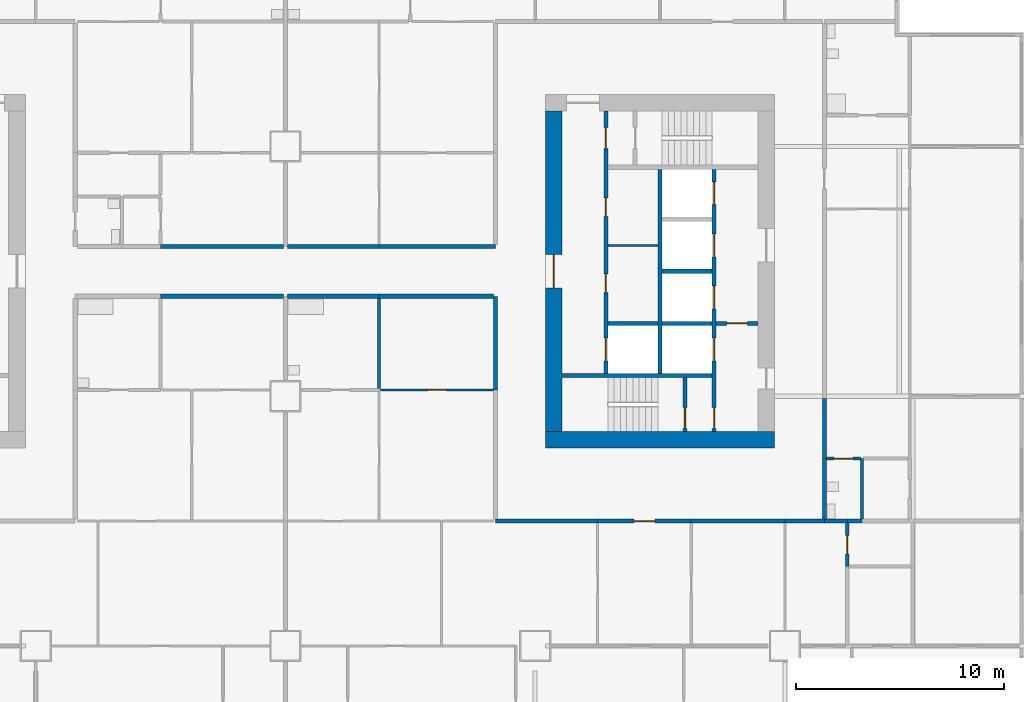
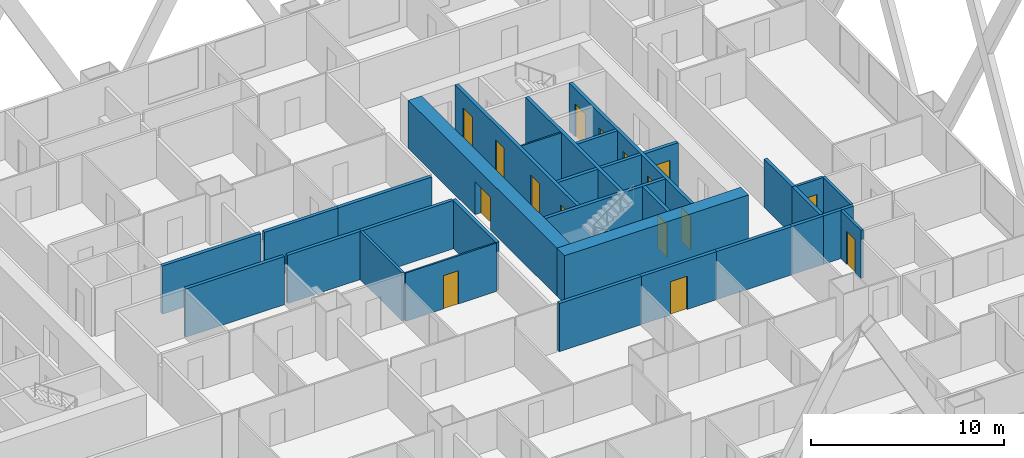
# One storey, part 6 of 13: 32 walls, 16 doors, 16 openings.
"""IFC4 building model written with IfcOpenShell, lengths in metres."""

from ifc_helpers import new_model, si_unit, direction, frame, frame_2d, origin, place, context, subcontext, project, spatial, rectangle, extrude, material, layer, layer_set, type_object, element, fill, save


model = new_model("IFC4")

# Units and contexts
model_context = context("Model", 3, precision=1e-05, world=origin(), true_north=direction((0.0, 1.0)))
body_context = subcontext(model_context, "Body", "Model", "MODEL_VIEW")
ifc_project = project(units=[si_unit("LENGTHUNIT", "METRE"), si_unit("AREAUNIT", "SQUARE_METRE"), si_unit("VOLUMEUNIT", "CUBIC_METRE"), si_unit("PLANEANGLEUNIT", "RADIAN"), si_unit("MASSUNIT", "GRAM", prefix="KILO")], contexts=[model_context])

# Site, building, storey
site_placement = place(None, origin())
site = spatial("IfcSite", under=ifc_project, at=site_placement, CompositionType="ELEMENT")
building_placement = place(site_placement, origin())
building = spatial("IfcBuilding", under=site, at=building_placement, Name="Kitamizu Gate Tower and Museum", CompositionType="ELEMENT")
storey_placement = place(building_placement, frame((0.0, 0.0, 30.0)))
storey = spatial("IfcBuildingStorey", under=building, at=storey_placement, Name="L05", CompositionType="ELEMENT", Elevation=30.0)

# Wall
ifc_material_1 = material(Name="Concrete Fc60", Category="concrete")
ifc_layer_1 = layer(ifc_material_1, 0.800048828125)
ifc_layer_set_1 = layer_set([ifc_layer_1], Name="Concrete Fc60")
wall_type_1 = type_object("IfcWallType", Name="Core wall 800", PredefinedType="SHEAR", material=ifc_layer_set_1)
wall_1_placement = place(storey_placement, frame((59.5, 21.89990234375, 0.0), z_axis=(0.0, 0.0, 1.0), x_axis=(-1.0, 0.0, 0.0)))
element("IfcWall", 1, at=wall_1_placement, inside=storey, type_object=wall_type_1, Name="Core wall ES", PredefinedType="SHEAR", context=body_context, shape_type="SweptSolid", body=[
    extrude(rectangle(XDim=11.0, YDim=0.800048828125, at=frame_2d((5.5, 0.0))), origin(), (0.0, 0.0, 1.0), 3.050048828125),
])

# Wall, opening, door
wall_2_placement = place(storey_placement, frame((48.89990234375, 22.300048828125, 0.0), z_axis=(0.0, 0.0, 1.0), x_axis=(0.0, 1.0, 0.0)))
wall_2 = element("IfcWall", 2, at=wall_2_placement, inside=storey, type_object=wall_type_1, Name="Core wall EARC", PredefinedType="SHEAR", context=body_context, shape_type="SweptSolid", body=[
    extrude(rectangle(XDim=15.39990234375, YDim=0.800048828125, at=frame_2d((7.699951171875, 0.0))), origin(), (0.0, 0.0, 1.0), 3.050048828125),
])
opening_1_placement = place(wall_2_placement, frame((6.89990234375, 0.0, 0.0)))
opening_1 = element("IfcOpeningElement", 3, at=opening_1_placement, cuts=wall_2, Name="Opening L05-097", PredefinedType="OPENING", context=body_context, shape_type="SweptSolid", body=[
    extrude(rectangle(XDim=1.60009765625, YDim=2.10009765625, at=frame_2d((0.800048828125, 1.050048828125))), frame((0.0, 0.41015625, 0.0), z_axis=(0.0, -1.0, 0.0), x_axis=(1.0, 0.0, 0.0)), (0.0, 0.0, 1.0), 0.820068359375),
])
ifc_material_2 = material(Name="Timber door set", Category="wood")
door_type_1 = type_object("IfcDoorType", Name="Entrance door 1600", OperationType="DOUBLE_DOOR_SINGLE_SWING", PredefinedType="DOOR", material=ifc_material_2)
door_1_placement = place(opening_1_placement, origin())
door_1 = element("IfcDoor", 4, at=door_1_placement, inside=storey, type_object=door_type_1, Name="Lobby door L05-097", OperationType="DOUBLE_DOOR_SINGLE_SWING", OverallHeight=2.10009765625, OverallWidth=1.60009765625, PredefinedType="DOOR", context=body_context, shape_type="SweptSolid", body=[
    extrude(rectangle(XDim=1.60009765625, YDim=2.10009765625, at=frame_2d((0.800048828125, 1.050048828125))), frame((0.0, 0.02490234375, 0.0), z_axis=(0.0, -1.0, 0.0), x_axis=(1.0, 0.0, 0.0)), (0.0, 0.0, 1.0), 0.050048828125),
])
fill(opening_1, door_1)

# Wall
ifc_material_3 = material(Name="Gypsum board on galvanised stud")
ifc_layer_2 = layer(ifc_material_3, 0.10009765625)
ifc_layer_set_2 = layer_set([ifc_layer_2], Name="Gypsum board on galvanised stud")
wall_type_2 = type_object("IfcWallType", Name="Partition 100", PredefinedType="PARTITIONING", material=ifc_layer_set_2)
wall_3_placement = place(storey_placement, frame((53.89990234375, 31.25, 0.0), z_axis=(0.0, 0.0, 1.0), x_axis=(-1.0, 0.0, 0.0)))
element("IfcWall", 5, at=wall_3_placement, inside=storey, type_object=wall_type_2, Name="Partition EPF1", PredefinedType="PARTITIONING", context=body_context, shape_type="SweptSolid", body=[
    extrude(rectangle(XDim=2.39990234375, YDim=0.10009765625, at=frame_2d((1.199951171875, 0.0))), origin(), (0.0, 0.0, 1.0), 3.050048828125),
])

# Wall, opening, door
ifc_material_4 = material(Name="Gypsum board on galvanised stud")
ifc_layer_3 = layer(ifc_material_4, 0.10009765625)
ifc_layer_set_3 = layer_set([ifc_layer_3], Name="Gypsum board on galvanised stud")
wall_type_3 = type_object("IfcWallType", Name="Partition 100 NOT RATED", PredefinedType="PARTITIONING", material=ifc_layer_set_3)
wall_4_placement = place(storey_placement, frame((46.0, 24.300048828125, 0.0), z_axis=(0.0, 0.0, 1.0), x_axis=(-1.0, 0.0, 0.0)))
wall_4 = element("IfcWall", 6, at=wall_4_placement, inside=storey, type_object=wall_type_3, Name="Partition L05-120", PredefinedType="PARTITIONING", context=body_context, shape_type="SweptSolid", body=[
    extrude(rectangle(XDim=5.425048828125, YDim=0.10009765625, at=frame_2d((2.71240234375, 0.0))), origin(), (0.0, 0.0, 1.0), 3.050048828125),
])
opening_2_placement = place(wall_4_placement, frame((2.262451171875, 0.0, 0.0)))
opening_2 = element("IfcOpeningElement", 7, at=opening_2_placement, cuts=wall_4, Name="Opening L05-047", PredefinedType="OPENING", context=body_context, shape_type="SweptSolid", body=[
    extrude(rectangle(XDim=0.89990234375, YDim=2.10009765625, at=frame_2d((0.449951171875, 1.050048828125))), frame((0.0, 0.06005859375, 0.0), z_axis=(0.0, -1.0, 0.0), x_axis=(1.0, 0.0, 0.0)), (0.0, 0.0, 1.0), 0.1201171875),
])
ifc_material_5 = material(Name="Timber door set", Category="wood")
door_type_2 = type_object("IfcDoorType", Name="Room door 900", OperationType="NOTDEFINED", PredefinedType="DOOR", material=ifc_material_5)
door_2_placement = place(opening_2_placement, origin())
door_2 = element("IfcDoor", 8, at=door_2_placement, inside=storey, type_object=door_type_2, Name="Door L05-047", OperationType="SINGLE_SWING_LEFT", OverallHeight=2.10009765625, OverallWidth=0.89990234375, PredefinedType="DOOR", context=body_context, shape_type="SweptSolid", body=[
    extrude(rectangle(XDim=0.89990234375, YDim=2.10009765625, at=frame_2d((0.449951171875, 1.050048828125))), frame((0.0, 0.02490234375, 0.0), z_axis=(0.0, -1.0, 0.0), x_axis=(1.0, 0.0, 0.0)), (0.0, 0.0, 1.0), 0.050048828125),
])
fill(opening_2, door_2)

ifc_material_6 = material(Name="Gypsum board on galvanised stud")
ifc_layer_4 = layer(ifc_material_6, 0.14990234375)
ifc_layer_set_4 = layer_set([ifc_layer_4], Name="Gypsum board on galvanised stud")
wall_type_4 = type_object("IfcWallType", Name="Partition 150", PredefinedType="PARTITIONING", material=ifc_layer_set_4)
wall_5_placement = place(storey_placement, frame((63.0, 15.81396484375, 0.0), z_axis=(0.0, 0.0, 1.0), x_axis=(0.0, 1.0, 0.0)))
wall_5 = element("IfcWall", 9, at=wall_5_placement, inside=storey, type_object=wall_type_4, Name="Partition L05-109", PredefinedType="PARTITIONING", context=body_context, shape_type="SweptSolid", body=[
    extrude(rectangle(XDim=2.0859375, YDim=0.14990234375, at=frame_2d((1.04296875, 0.0))), origin(), (0.0, 0.0, 1.0), 3.050048828125),
])
opening_3_placement = place(wall_5_placement, frame((0.593017578125, 0.0, 0.0)))
opening_3 = element("IfcOpeningElement", 10, at=opening_3_placement, cuts=wall_5, Name="Opening L05-043", PredefinedType="OPENING", context=body_context, shape_type="SweptSolid", body=[
    extrude(rectangle(XDim=0.89990234375, YDim=2.10009765625, at=frame_2d((0.449951171875, 1.050048828125))), frame((0.0, 0.0849609375, 0.0), z_axis=(0.0, -1.0, 0.0), x_axis=(1.0, 0.0, 0.0)), (0.0, 0.0, 1.0), 0.169921875),
])
ifc_material_7 = material(Name="Timber door set", Category="wood")
door_type_3 = type_object("IfcDoorType", Name="Bathroom door 900", OperationType="NOTDEFINED", PredefinedType="DOOR", material=ifc_material_7)
door_3_placement = place(opening_3_placement, frame((0.89990234375, 0.0, 0.0), x_axis=(-1.0, 0.0, 0.0)))
door_3 = element("IfcDoor", 11, at=door_3_placement, inside=storey, type_object=door_type_3, Name="Bathroom door L05-043", OperationType="SINGLE_SWING_RIGHT", OverallHeight=2.10009765625, OverallWidth=0.89990234375, PredefinedType="DOOR", context=body_context, shape_type="SweptSolid", body=[
    extrude(rectangle(XDim=0.89990234375, YDim=2.10009765625, at=frame_2d((0.449951171875, 1.050048828125))), frame((0.0, 0.02490234375, 0.0), z_axis=(0.0, -1.0, 0.0), x_axis=(1.0, 0.0, 0.0)), (0.0, 0.0, 1.0), 0.050048828125),
])
fill(opening_3, door_3)

# Walls
wall_6_placement = place(storey_placement, frame((40.5, 24.375, 0.0), z_axis=(0.0, 0.0, 1.0), x_axis=(0.0, 1.0, 0.0)))
element("IfcWall", 12, at=wall_6_placement, inside=storey, type_object=wall_type_4, Name="Partition L05-122", PredefinedType="PARTITIONING", context=body_context, shape_type="SweptSolid", body=[
    extrude(rectangle(XDim=4.324951171875, YDim=0.14990234375, at=frame_2d((2.16259765625, 0.0))), origin(), (0.0, 0.0, 1.0), 3.050048828125),
])
wall_7_placement = place(storey_placement, frame((63.699951171875, 18.10009765625, 0.0), z_axis=(0.0, 0.0, 1.0), x_axis=(0.0, 1.0, 0.0)))
element("IfcWall", 13, at=wall_7_placement, inside=storey, type_object=wall_type_4, Name="Partition L05-134", PredefinedType="PARTITIONING", context=body_context, shape_type="SweptSolid", body=[
    extrude(rectangle(XDim=2.89990234375, YDim=0.14990234375, at=frame_2d((1.449951171875, 0.0))), origin(), (0.0, 0.0, 1.0), 3.050048828125),
])

# Wall, opening, door
wall_8_placement = place(storey_placement, frame((63.625, 21.0, 0.0), z_axis=(0.0, 0.0, 1.0), x_axis=(-1.0, 0.0, 0.0)))
wall_8 = element("IfcWall", 14, at=wall_8_placement, inside=storey, type_object=wall_type_4, Name="Partition L05-135", PredefinedType="PARTITIONING", context=body_context, shape_type="SweptSolid", body=[
    extrude(rectangle(XDim=1.625, YDim=0.14990234375, at=frame_2d((0.8125, 0.0))), origin(), (0.0, 0.0, 1.0), 3.050048828125),
])
opening_4_placement = place(wall_8_placement, frame((0.362548828125, 0.0, 0.0)))
opening_4 = element("IfcOpeningElement", 15, at=opening_4_placement, cuts=wall_8, Name="Opening L05-054", PredefinedType="OPENING", context=body_context, shape_type="SweptSolid", body=[
    extrude(rectangle(XDim=0.89990234375, YDim=2.10009765625, at=frame_2d((0.449951171875, 1.050048828125))), frame((0.0, 0.0849609375, 0.0), z_axis=(0.0, -1.0, 0.0), x_axis=(1.0, 0.0, 0.0)), (0.0, 0.0, 1.0), 0.169921875),
])
door_4_placement = place(opening_4_placement, origin())
door_4 = element("IfcDoor", 16, at=door_4_placement, inside=storey, type_object=door_type_3, Name="Bathroom door L05-054", OperationType="SINGLE_SWING_RIGHT", OverallHeight=2.10009765625, OverallWidth=0.89990234375, PredefinedType="DOOR", context=body_context, shape_type="SweptSolid", body=[
    extrude(rectangle(XDim=0.89990234375, YDim=2.10009765625, at=frame_2d((0.449951171875, 1.050048828125))), frame((0.0, 0.02490234375, 0.0), z_axis=(0.0, -1.0, 0.0), x_axis=(1.0, 0.0, 0.0)), (0.0, 0.0, 1.0), 0.050048828125),
])
fill(opening_4, door_4)

# Walls
ifc_material_8 = material(Name="Gypsum board on galvanised stud")
ifc_layer_5 = layer(ifc_material_8, 0.199951171875)
ifc_layer_set_5 = layer_set([ifc_layer_5], Name="Gypsum board on galvanised stud")
wall_type_5 = type_object("IfcWallType", Name="Partition 200", PredefinedType="PARTITIONING", material=ifc_layer_set_5)
wall_9_placement = place(storey_placement, frame((35.89990234375, 28.800048828125, 0.0), z_axis=(0.0, 0.0, 1.0), x_axis=(-1.0, 0.0, 0.0)))
element("IfcWall", 17, at=wall_9_placement, inside=storey, type_object=wall_type_5, Name="Partition L05-050", PredefinedType="PARTITIONING", context=body_context, shape_type="SweptSolid", body=[
    extrude(rectangle(XDim=5.89990234375, YDim=0.199951171875, at=frame_2d((2.949951171875, 0.0))), origin(), (0.0, 0.0, 1.0), 3.050048828125),
])
wall_10_placement = place(storey_placement, frame((51.0, 18.0, 0.0), z_axis=(0.0, 0.0, 1.0), x_axis=(-1.0, 0.0, 0.0)))
element("IfcWall", 18, at=wall_10_placement, inside=storey, type_object=wall_type_5, Name="Partition L05-103", PredefinedType="PARTITIONING", context=body_context, shape_type="SweptSolid", body=[
    extrude(rectangle(XDim=4.89990234375, YDim=0.199951171875, at=frame_2d((2.449951171875, 0.0))), origin(), (0.0, 0.0, 1.0), 3.050048828125),
])

# Wall, opening, door
wall_11_placement = place(storey_placement, frame((55.5, 18.0, 0.0), z_axis=(0.0, 0.0, 1.0), x_axis=(-1.0, 0.0, 0.0)))
wall_11 = element("IfcWall", 19, at=wall_11_placement, inside=storey, type_object=wall_type_5, Name="Partition L05-105", PredefinedType="PARTITIONING", context=body_context, shape_type="SweptSolid", body=[
    extrude(rectangle(XDim=4.5, YDim=0.199951171875, at=frame_2d((2.25, 0.0))), origin(), (0.0, 0.0, 1.0), 3.050048828125),
])
opening_5_placement = place(wall_11_placement, frame((1.75, 0.0, 0.0)))
opening_5 = element("IfcOpeningElement", 20, at=opening_5_placement, cuts=wall_11, Name="Opening L05-027", PredefinedType="OPENING", context=body_context, shape_type="SweptSolid", body=[
    extrude(rectangle(XDim=1.0, YDim=2.10009765625, at=frame_2d((0.5, 1.050048828125))), frame((0.0, 0.10986328125, 0.0), z_axis=(0.0, -1.0, 0.0), x_axis=(1.0, 0.0, 0.0)), (0.0, 0.0, 1.0), 0.219970703125),
])
ifc_material_9 = material(Name="Timber door set", Category="wood")
door_type_4 = type_object("IfcDoorType", Name="Flat entrance door 1000", OperationType="NOTDEFINED", PredefinedType="DOOR", material=ifc_material_9)
door_5_placement = place(opening_5_placement, origin())
door_5 = element("IfcDoor", 21, at=door_5_placement, inside=storey, type_object=door_type_4, Name="Flat entrance door L05-027", OperationType="SINGLE_SWING_RIGHT", OverallHeight=2.10009765625, OverallWidth=1.0, PredefinedType="DOOR", context=body_context, shape_type="SweptSolid", body=[
    extrude(rectangle(XDim=1.0, YDim=2.10009765625, at=frame_2d((0.5, 1.050048828125))), frame((0.0, 0.02490234375, 0.0), z_axis=(0.0, -1.0, 0.0), x_axis=(1.0, 0.0, 0.0)), (0.0, 0.0, 1.0), 0.050048828125),
])
fill(opening_5, door_5)

# Walls
wall_12_placement = place(storey_placement, frame((60.0, 18.0, 0.0), z_axis=(0.0, 0.0, 1.0), x_axis=(-1.0, 0.0, 0.0)))
element("IfcWall", 22, at=wall_12_placement, inside=storey, type_object=wall_type_5, Name="Partition L05-107", PredefinedType="PARTITIONING", context=body_context, shape_type="SweptSolid", body=[
    extrude(rectangle(XDim=4.5, YDim=0.199951171875, at=frame_2d((2.25, 0.0))), origin(), (0.0, 0.0, 1.0), 3.050048828125),
])
wall_13_placement = place(storey_placement, frame((63.0, 18.0, 0.0), z_axis=(0.0, 0.0, 1.0), x_axis=(-1.0, 0.0, 0.0)))
element("IfcWall", 23, at=wall_13_placement, inside=storey, type_object=wall_type_5, Name="Partition L05-110", PredefinedType="PARTITIONING", context=body_context, shape_type="SweptSolid", body=[
    extrude(rectangle(XDim=1.10009765625, YDim=0.199951171875, at=frame_2d((0.550048828125, 0.0))), origin(), (0.0, 0.0, 1.0), 3.050048828125),
])
wall_14_placement = place(storey_placement, frame((61.89990234375, 18.0, 0.0), z_axis=(0.0, 0.0, 1.0), x_axis=(-1.0, 0.0, 0.0)))
element("IfcWall", 24, at=wall_14_placement, inside=storey, type_object=wall_type_5, Name="Partition L05-111", PredefinedType="PARTITIONING", context=body_context, shape_type="SweptSolid", body=[
    extrude(rectangle(XDim=1.89990234375, YDim=0.199951171875, at=frame_2d((0.949951171875, 0.0))), origin(), (0.0, 0.0, 1.0), 3.050048828125),
])
wall_15_placement = place(storey_placement, frame((63.699951171875, 18.0, 0.0), z_axis=(0.0, 0.0, 1.0), x_axis=(-1.0, 0.0, 0.0)))
element("IfcWall", 25, at=wall_15_placement, inside=storey, type_object=wall_type_5, Name="Partition L05-116", PredefinedType="PARTITIONING", context=body_context, shape_type="SweptSolid", body=[
    extrude(rectangle(XDim=0.699951171875, YDim=0.199951171875, at=frame_2d((0.35009765625, 0.0))), origin(), (0.0, 0.0, 1.0), 3.050048828125),
])
wall_16_placement = place(storey_placement, frame((40.5, 28.800048828125, 0.0), z_axis=(0.0, 0.0, 1.0), x_axis=(-1.0, 0.0, 0.0)))
element("IfcWall", 26, at=wall_16_placement, inside=storey, type_object=wall_type_5, Name="Partition L05-123", PredefinedType="PARTITIONING", context=body_context, shape_type="SweptSolid", body=[
    extrude(rectangle(XDim=4.39990234375, YDim=0.199951171875, at=frame_2d((2.199951171875, 0.0))), origin(), (0.0, 0.0, 1.0), 3.050048828125),
])
wall_17_placement = place(storey_placement, frame((46.10009765625, 24.300048828125, 0.0), z_axis=(0.0, 0.0, 1.0), x_axis=(0.0, 1.0, 0.0)))
element("IfcWall", 27, at=wall_17_placement, inside=storey, type_object=wall_type_5, Name="Partition L05-124", PredefinedType="PARTITIONING", context=body_context, shape_type="SweptSolid", body=[
    extrude(rectangle(XDim=4.5, YDim=0.199951171875, at=frame_2d((2.25, 0.0))), origin(), (0.0, 0.0, 1.0), 3.050048828125),
])
wall_18_placement = place(storey_placement, frame((46.0, 28.800048828125, 0.0), z_axis=(0.0, 0.0, 1.0), x_axis=(-1.0, 0.0, 0.0)))
element("IfcWall", 28, at=wall_18_placement, inside=storey, type_object=wall_type_5, Name="Partition L05-125", PredefinedType="PARTITIONING", context=body_context, shape_type="SweptSolid", body=[
    extrude(rectangle(XDim=5.5, YDim=0.199951171875, at=frame_2d((2.75, 0.0))), origin(), (0.0, 0.0, 1.0), 3.050048828125),
])
for number, where, z_axis, x_axis, name in (
    (29, (61.89990234375, 21.0, 0.0), (0.0, 0.0, 1.0), (0.0, -1.0, 0.0), "Partition L05-136"),
    (30, (61.89990234375, 23.89990234375, 0.0), (0.0, 0.0, 1.0), (0.0, -1.0, 0.0), "Partition L05-140"),
):
    element("IfcWall", number, at=place(storey_placement, frame(where, z_axis=z_axis, x_axis=x_axis)), inside=storey, type_object=wall_type_5, Name=name, PredefinedType="PARTITIONING", context=body_context, shape_type="SweptSolid", body=[
        extrude(rectangle(XDim=2.89990234375, YDim=0.199951171875, at=frame_2d((1.449951171875, 0.0))), origin(), (0.0, 0.0, 1.0), 3.050048828125),
    ])
wall_19_placement = place(storey_placement, frame((30.0, 31.199951171875, 0.0), z_axis=(0.0, 0.0, 1.0), x_axis=(1.0, 0.0, 0.0)))
element("IfcWall", 31, at=wall_19_placement, inside=storey, type_object=wall_type_5, Name="Partition L05-178", PredefinedType="PARTITIONING", context=body_context, shape_type="SweptSolid", body=[
    extrude(rectangle(XDim=5.89990234375, YDim=0.199951171875, at=frame_2d((2.949951171875, 0.0))), origin(), (0.0, 0.0, 1.0), 3.050048828125),
])
wall_20_placement = place(storey_placement, frame((36.10009765625, 31.199951171875, 0.0), z_axis=(0.0, 0.0, 1.0), x_axis=(1.0, 0.0, 0.0)))
element("IfcWall", 32, at=wall_20_placement, inside=storey, type_object=wall_type_5, Name="Partition L05-199", PredefinedType="PARTITIONING", context=body_context, shape_type="SweptSolid", body=[
    extrude(rectangle(XDim=4.39990234375, YDim=0.199951171875, at=frame_2d((2.199951171875, 0.0))), origin(), (0.0, 0.0, 1.0), 3.050048828125),
])
wall_21_placement = place(storey_placement, frame((40.5, 31.199951171875, 0.0), z_axis=(0.0, 0.0, 1.0), x_axis=(1.0, 0.0, 0.0)))
element("IfcWall", 33, at=wall_21_placement, inside=storey, type_object=wall_type_5, Name="Partition L05-200", PredefinedType="PARTITIONING", context=body_context, shape_type="SweptSolid", body=[
    extrude(rectangle(XDim=5.60009765625, YDim=0.199951171875, at=frame_2d((2.800048828125, 0.0))), origin(), (0.0, 0.0, 1.0), 3.050048828125),
])

# Wall, openings, doors
ifc_material_10 = material(Name="Concrete Fc42", Category="concrete")
ifc_layer_6 = layer(ifc_material_10, 0.199951171875)
ifc_layer_set_6 = layer_set([ifc_layer_6], Name="Concrete Fc42")
wall_type_6 = type_object("IfcWallType", Name="Shaft wall 200", PredefinedType="SOLIDWALL", material=ifc_layer_set_6)
wall_22_placement = place(storey_placement, frame((56.60009765625, 22.300048828125, 0.0), z_axis=(0.0, 0.0, 1.0), x_axis=(0.0, 1.0, 0.0)))
wall_22 = element("IfcWall", 34, at=wall_22_placement, inside=storey, type_object=wall_type_6, Name="Shaft wall EWEST", PredefinedType="SOLIDWALL", context=body_context, shape_type="SweptSolid", body=[
    extrude(rectangle(XDim=12.599853515625, YDim=0.199951171875, at=frame_2d((6.2998046875, 0.0))), origin(), (0.0, 0.0, 1.0), 3.050048828125),
])
opening_6_placement = place(wall_22_placement, frame((3.39990234375, 0.0, 0.0)))
opening_6 = element("IfcOpeningElement", 35, at=opening_6_placement, cuts=wall_22, Name="Opening LD", PredefinedType="OPENING", context=body_context, shape_type="SweptSolid", body=[
    extrude(rectangle(XDim=1.10009765625, YDim=2.10009765625, at=frame_2d((0.550048828125, 1.050048828125))), frame((0.0, 0.10986328125, 0.0), z_axis=(0.0, -1.0, 0.0), x_axis=(1.0, 0.0, 0.0)), (0.0, 0.0, 1.0), 0.219970703125),
])
opening_7_placement = place(wall_22_placement, frame((5.89990234375, 0.0, 0.0)))
opening_7 = element("IfcOpeningElement", 36, at=opening_7_placement, cuts=wall_22, Name="Opening LD", PredefinedType="OPENING", context=body_context, shape_type="SweptSolid", body=[
    extrude(rectangle(XDim=1.10009765625, YDim=2.10009765625, at=frame_2d((0.550048828125, 1.050048828125))), frame((0.0, 0.10986328125, 0.0), z_axis=(0.0, -1.0, 0.0), x_axis=(1.0, 0.0, 0.0)), (0.0, 0.0, 1.0), 0.219970703125),
])
opening_8_placement = place(wall_22_placement, frame((8.39990234375, 0.0, 0.0)))
opening_8 = element("IfcOpeningElement", 37, at=opening_8_placement, cuts=wall_22, Name="Opening LD", PredefinedType="OPENING", context=body_context, shape_type="SweptSolid", body=[
    extrude(rectangle(XDim=1.10009765625, YDim=2.10009765625, at=frame_2d((0.550048828125, 1.050048828125))), frame((0.0, 0.10986328125, 0.0), z_axis=(0.0, -1.0, 0.0), x_axis=(1.0, 0.0, 0.0)), (0.0, 0.0, 1.0), 0.219970703125),
])
opening_9_placement = place(wall_22_placement, frame((10.89990234375, 0.0, 0.0)))
opening_9 = element("IfcOpeningElement", 38, at=opening_9_placement, cuts=wall_22, Name="Opening LD", PredefinedType="OPENING", context=body_context, shape_type="SweptSolid", body=[
    extrude(rectangle(XDim=1.10009765625, YDim=2.10009765625, at=frame_2d((0.550048828125, 1.050048828125))), frame((0.0, 0.10986328125, 0.0), z_axis=(0.0, -1.0, 0.0), x_axis=(1.0, 0.0, 0.0)), (0.0, 0.0, 1.0), 0.219970703125),
])
opening_10_placement = place(wall_22_placement, frame((0.14990234375, 0.0, 0.0)))
opening_10 = element("IfcOpeningElement", 39, at=opening_10_placement, cuts=wall_22, Name="Opening L05-090", PredefinedType="OPENING", context=body_context, shape_type="SweptSolid", body=[
    extrude(rectangle(XDim=1.0, YDim=2.10009765625, at=frame_2d((0.5, 1.050048828125))), frame((0.0, 0.10986328125, 0.0), z_axis=(0.0, -1.0, 0.0), x_axis=(1.0, 0.0, 0.0)), (0.0, 0.0, 1.0), 0.219970703125),
])
ifc_material_11 = material(Name="Hollow metal door set")
door_type_5 = type_object("IfcDoorType", Name="Fire door 1000", OperationType="NOTDEFINED", PredefinedType="DOOR", material=ifc_material_11)
door_6_placement = place(opening_10_placement, origin())
door_6 = element("IfcDoor", 40, at=door_6_placement, inside=storey, type_object=door_type_5, Name="Stair lobby door L05-090", OperationType="SINGLE_SWING_RIGHT", OverallHeight=2.10009765625, OverallWidth=1.0, PredefinedType="DOOR", context=body_context, shape_type="SweptSolid", body=[
    extrude(rectangle(XDim=1.0, YDim=2.10009765625, at=frame_2d((0.5, 1.050048828125))), frame((0.0, 0.02490234375, 0.0), z_axis=(0.0, -1.0, 0.0), x_axis=(1.0, 0.0, 0.0)), (0.0, 0.0, 1.0), 0.050048828125),
])
fill(opening_10, door_6)
ifc_material_12 = material(Name="Hollow metal door set")
door_type_6 = type_object("IfcDoorType", Name="Landing door 1100", OperationType="SLIDING_TO_LEFT", PredefinedType="DOOR", material=ifc_material_12)
door_7_placement = place(opening_6_placement, origin())
door_7 = element("IfcDoor", 41, at=door_7_placement, inside=storey, type_object=door_type_6, Name="Landing door EFF1", OperationType="SLIDING_TO_LEFT", OverallHeight=2.10009765625, OverallWidth=1.10009765625, PredefinedType="DOOR", context=body_context, shape_type="SweptSolid", body=[
    extrude(rectangle(XDim=1.10009765625, YDim=2.10009765625, at=frame_2d((0.550048828125, 1.050048828125))), frame((0.0, 0.02490234375, 0.0), z_axis=(0.0, -1.0, 0.0), x_axis=(1.0, 0.0, 0.0)), (0.0, 0.0, 1.0), 0.050048828125),
])
fill(opening_6, door_7)
door_8_placement = place(opening_7_placement, origin())
door_8 = element("IfcDoor", 42, at=door_8_placement, inside=storey, type_object=door_type_6, Name="Landing door EL1", OperationType="SLIDING_TO_LEFT", OverallHeight=2.10009765625, OverallWidth=1.10009765625, PredefinedType="DOOR", context=body_context, shape_type="SweptSolid", body=[
    extrude(rectangle(XDim=1.10009765625, YDim=2.10009765625, at=frame_2d((0.550048828125, 1.050048828125))), frame((0.0, 0.02490234375, 0.0), z_axis=(0.0, -1.0, 0.0), x_axis=(1.0, 0.0, 0.0)), (0.0, 0.0, 1.0), 0.050048828125),
])
fill(opening_7, door_8)
door_9_placement = place(opening_8_placement, origin())
door_9 = element("IfcDoor", 43, at=door_9_placement, inside=storey, type_object=door_type_6, Name="Landing door EL2", OperationType="SLIDING_TO_LEFT", OverallHeight=2.10009765625, OverallWidth=1.10009765625, PredefinedType="DOOR", context=body_context, shape_type="SweptSolid", body=[
    extrude(rectangle(XDim=1.10009765625, YDim=2.10009765625, at=frame_2d((0.550048828125, 1.050048828125))), frame((0.0, 0.02490234375, 0.0), z_axis=(0.0, -1.0, 0.0), x_axis=(1.0, 0.0, 0.0)), (0.0, 0.0, 1.0), 0.050048828125),
])
fill(opening_8, door_9)
door_10_placement = place(opening_9_placement, origin())
door_10 = element("IfcDoor", 44, at=door_10_placement, inside=storey, type_object=door_type_6, Name="Landing door EL3", OperationType="SLIDING_TO_LEFT", OverallHeight=2.10009765625, OverallWidth=1.10009765625, PredefinedType="DOOR", context=body_context, shape_type="SweptSolid", body=[
    extrude(rectangle(XDim=1.10009765625, YDim=2.10009765625, at=frame_2d((0.550048828125, 1.050048828125))), frame((0.0, 0.02490234375, 0.0), z_axis=(0.0, -1.0, 0.0), x_axis=(1.0, 0.0, 0.0)), (0.0, 0.0, 1.0), 0.050048828125),
])
fill(opening_9, door_10)

wall_23_placement = place(storey_placement, frame((51.39990234375, 25.10009765625, 0.0), z_axis=(0.0, 0.0, 1.0), x_axis=(0.0, 1.0, 0.0)))
wall_23 = element("IfcWall", 45, at=wall_23_placement, inside=storey, type_object=wall_type_6, Name="Shaft wall EEAST", PredefinedType="SOLIDWALL", context=body_context, shape_type="SweptSolid", body=[
    extrude(rectangle(XDim=12.599853515625, YDim=0.199951171875, at=frame_2d((6.2998046875, 0.0))), origin(), (0.0, 0.0, 1.0), 3.050048828125),
])
opening_11_placement = place(wall_23_placement, frame((0.60009765625, 0.0, 0.0)))
opening_11 = element("IfcOpeningElement", 46, at=opening_11_placement, cuts=wall_23, Name="Opening LD", PredefinedType="OPENING", context=body_context, shape_type="SweptSolid", body=[
    extrude(rectangle(XDim=1.10009765625, YDim=2.10009765625, at=frame_2d((0.550048828125, 1.050048828125))), frame((0.0, 0.10986328125, 0.0), z_axis=(0.0, -1.0, 0.0), x_axis=(1.0, 0.0, 0.0)), (0.0, 0.0, 1.0), 0.219970703125),
])
opening_12_placement = place(wall_23_placement, frame((10.800048828125, 0.0, 0.0)))
opening_12 = element("IfcOpeningElement", 47, at=opening_12_placement, cuts=wall_23, Name="Opening L05-091", PredefinedType="OPENING", context=body_context, shape_type="SweptSolid", body=[
    extrude(rectangle(XDim=1.0, YDim=2.10009765625, at=frame_2d((0.5, 1.050048828125))), frame((0.0, 0.10986328125, 0.0), z_axis=(0.0, -1.0, 0.0), x_axis=(1.0, 0.0, 0.0)), (0.0, 0.0, 1.0), 0.219970703125),
])
opening_13_placement = place(wall_23_placement, frame((3.875, 0.0, 0.0)))
opening_13 = element("IfcOpeningElement", 48, at=opening_13_placement, cuts=wall_23, Name="Opening L05-098", PredefinedType="OPENING", context=body_context, shape_type="SweptSolid", body=[
    extrude(rectangle(XDim=0.89990234375, YDim=2.10009765625, at=frame_2d((0.449951171875, 1.050048828125))), frame((0.0, 0.10986328125, 0.0), z_axis=(0.0, -1.0, 0.0), x_axis=(1.0, 0.0, 0.0)), (0.0, 0.0, 1.0), 0.219970703125),
])
opening_14_placement = place(wall_23_placement, frame((7.52490234375, 0.0, 0.0)))
opening_14 = element("IfcOpeningElement", 49, at=opening_14_placement, cuts=wall_23, Name="Opening L05-099", PredefinedType="OPENING", context=body_context, shape_type="SweptSolid", body=[
    extrude(rectangle(XDim=0.89990234375, YDim=2.10009765625, at=frame_2d((0.449951171875, 1.050048828125))), frame((0.0, 0.10986328125, 0.0), z_axis=(0.0, -1.0, 0.0), x_axis=(1.0, 0.0, 0.0)), (0.0, 0.0, 1.0), 0.219970703125),
])
door_11_placement = place(opening_12_placement, frame((1.0, 0.0, 0.0), x_axis=(-1.0, 0.0, 0.0)))
door_11 = element("IfcDoor", 50, at=door_11_placement, inside=storey, type_object=door_type_5, Name="Stair lobby door L05-091", OperationType="SINGLE_SWING_RIGHT", OverallHeight=2.10009765625, OverallWidth=1.0, PredefinedType="DOOR", context=body_context, shape_type="SweptSolid", body=[
    extrude(rectangle(XDim=1.0, YDim=2.10009765625, at=frame_2d((0.5, 1.050048828125))), frame((0.0, 0.02490234375, 0.0), z_axis=(0.0, -1.0, 0.0), x_axis=(1.0, 0.0, 0.0)), (0.0, 0.0, 1.0), 0.050048828125),
])
fill(opening_12, door_11)
door_12_placement = place(opening_11_placement, origin())
door_12 = element("IfcDoor", 51, at=door_12_placement, inside=storey, type_object=door_type_6, Name="Landing door ESV1", OperationType="SLIDING_TO_LEFT", OverallHeight=2.10009765625, OverallWidth=1.10009765625, PredefinedType="DOOR", context=body_context, shape_type="SweptSolid", body=[
    extrude(rectangle(XDim=1.10009765625, YDim=2.10009765625, at=frame_2d((0.550048828125, 1.050048828125))), frame((0.0, 0.02490234375, 0.0), z_axis=(0.0, -1.0, 0.0), x_axis=(1.0, 0.0, 0.0)), (0.0, 0.0, 1.0), 0.050048828125),
])
fill(opening_11, door_12)
ifc_material_13 = material(Name="Timber door set", Category="wood")
door_type_7 = type_object("IfcDoorType", Name="Service door 900", OperationType="NOTDEFINED", PredefinedType="DOOR", material=ifc_material_13)
door_13_placement = place(opening_13_placement, frame((0.89990234375, 0.0, 0.0), x_axis=(-1.0, 0.0, 0.0)))
door_13 = element("IfcDoor", 52, at=door_13_placement, inside=storey, type_object=door_type_7, Name="Service door L05-098", OperationType="SINGLE_SWING_RIGHT", OverallHeight=2.10009765625, OverallWidth=0.89990234375, PredefinedType="DOOR", context=body_context, shape_type="SweptSolid", body=[
    extrude(rectangle(XDim=0.89990234375, YDim=2.10009765625, at=frame_2d((0.449951171875, 1.050048828125))), frame((0.0, 0.02490234375, 0.0), z_axis=(0.0, -1.0, 0.0), x_axis=(1.0, 0.0, 0.0)), (0.0, 0.0, 1.0), 0.050048828125),
])
fill(opening_13, door_13)
door_14_placement = place(opening_14_placement, frame((0.89990234375, 0.0, 0.0), x_axis=(-1.0, 0.0, 0.0)))
door_14 = element("IfcDoor", 53, at=door_14_placement, inside=storey, type_object=door_type_7, Name="Service door L05-099", OperationType="SINGLE_SWING_LEFT", OverallHeight=2.10009765625, OverallWidth=0.89990234375, PredefinedType="DOOR", context=body_context, shape_type="SweptSolid", body=[
    extrude(rectangle(XDim=0.89990234375, YDim=2.10009765625, at=frame_2d((0.449951171875, 1.050048828125))), frame((0.0, 0.02490234375, 0.0), z_axis=(0.0, -1.0, 0.0), x_axis=(1.0, 0.0, 0.0)), (0.0, 0.0, 1.0), 0.050048828125),
])
fill(opening_14, door_14)

# Walls
wall_24_placement = place(storey_placement, frame((54.0, 25.10009765625, 0.0), z_axis=(0.0, 0.0, 1.0), x_axis=(0.0, 1.0, 0.0)))
element("IfcWall", 54, at=wall_24_placement, inside=storey, type_object=wall_type_6, Name="Shaft wall EMID", PredefinedType="SOLIDWALL", context=body_context, shape_type="SweptSolid", body=[
    extrude(rectangle(XDim=9.7998046875, YDim=0.199951171875, at=frame_2d((4.89990234375, 0.0))), origin(), (0.0, 0.0, 1.0), 3.050048828125),
])
wall_25_placement = place(storey_placement, frame((56.5, 25.0, 0.0), z_axis=(0.0, 0.0, 1.0), x_axis=(-1.0, 0.0, 0.0)))
element("IfcWall", 55, at=wall_25_placement, inside=storey, type_object=wall_type_6, Name="Shaft wall ESB", PredefinedType="SOLIDWALL", context=body_context, shape_type="SweptSolid", body=[
    extrude(rectangle(XDim=7.199951171875, YDim=0.199951171875, at=frame_2d((3.60009765625, 0.0))), origin(), (0.0, 0.0, 1.0), 3.050048828125),
])

# Wall, opening, door
wall_26_placement = place(storey_placement, frame((58.699951171875, 27.5, 0.0), z_axis=(0.0, 0.0, 1.0), x_axis=(-1.0, 0.0, 0.0)))
wall_26 = element("IfcWall", 56, at=wall_26_placement, inside=storey, type_object=wall_type_6, Name="Shaft wall EFFN", PredefinedType="SOLIDWALL", context=body_context, shape_type="SweptSolid", body=[
    extrude(rectangle(XDim=2.0, YDim=0.199951171875, at=frame_2d((1.0, 0.0))), origin(), (0.0, 0.0, 1.0), 3.050048828125),
])
opening_15_placement = place(wall_26_placement, frame((0.5, 0.0, 0.0)))
opening_15 = element("IfcOpeningElement", 57, at=opening_15_placement, cuts=wall_26, Name="Opening L05-093", PredefinedType="OPENING", context=body_context, shape_type="SweptSolid", body=[
    extrude(rectangle(XDim=1.0, YDim=2.10009765625, at=frame_2d((0.5, 1.050048828125))), frame((0.0, 0.10986328125, 0.0), z_axis=(0.0, -1.0, 0.0), x_axis=(1.0, 0.0, 0.0)), (0.0, 0.0, 1.0), 0.219970703125),
])
door_15_placement = place(opening_15_placement, origin())
door_15 = element("IfcDoor", 58, at=door_15_placement, inside=storey, type_object=door_type_5, Name="Fire-fighting lobby door L05-093", OperationType="SINGLE_SWING_LEFT", OverallHeight=2.10009765625, OverallWidth=1.0, PredefinedType="DOOR", context=body_context, shape_type="SweptSolid", body=[
    extrude(rectangle(XDim=1.0, YDim=2.10009765625, at=frame_2d((0.5, 1.050048828125))), frame((0.0, 0.02490234375, 0.0), z_axis=(0.0, -1.0, 0.0), x_axis=(1.0, 0.0, 0.0)), (0.0, 0.0, 1.0), 0.050048828125),
])
fill(opening_15, door_15)

wall_27_placement = place(storey_placement, frame((55.199951171875, 22.300048828125, 0.0), z_axis=(0.0, 0.0, 1.0), x_axis=(0.0, 1.0, 0.0)))
wall_27 = element("IfcWall", 59, at=wall_27_placement, inside=storey, type_object=wall_type_6, Name="Shaft wall ESZ", PredefinedType="SOLIDWALL", context=body_context, shape_type="SweptSolid", body=[
    extrude(rectangle(XDim=2.599853515625, YDim=0.199951171875, at=frame_2d((1.2998046875, 0.0))), origin(), (0.0, 0.0, 1.0), 3.050048828125),
])
opening_16_placement = place(wall_27_placement, frame((0.14990234375, 0.0, 0.0)))
opening_16 = element("IfcOpeningElement", 60, at=opening_16_placement, cuts=wall_27, Name="Opening L05-089", PredefinedType="OPENING", context=body_context, shape_type="SweptSolid", body=[
    extrude(rectangle(XDim=1.0, YDim=2.10009765625, at=frame_2d((0.5, 1.050048828125))), frame((0.0, 0.10986328125, 0.0), z_axis=(0.0, -1.0, 0.0), x_axis=(1.0, 0.0, 0.0)), (0.0, 0.0, 1.0), 0.219970703125),
])
door_16_placement = place(opening_16_placement, origin())
door_16 = element("IfcDoor", 61, at=door_16_placement, inside=storey, type_object=door_type_5, Name="Stair door L05-089", OperationType="SINGLE_SWING_RIGHT", OverallHeight=2.10009765625, OverallWidth=1.0, PredefinedType="DOOR", context=body_context, shape_type="SweptSolid", body=[
    extrude(rectangle(XDim=1.0, YDim=2.10009765625, at=frame_2d((0.5, 1.050048828125))), frame((0.0, 0.02490234375, 0.0), z_axis=(0.0, -1.0, 0.0), x_axis=(1.0, 0.0, 0.0)), (0.0, 0.0, 1.0), 0.050048828125),
])
fill(opening_16, door_16)

# Walls
for number, where, z_axis, x_axis, name in (
    (62, (56.5, 27.5, 0.0), (0.0, 0.0, 1.0), (-1.0, 0.0, 0.0), "Shaft wall EDVW0"),
    (63, (56.5, 30.0, 0.0), (0.0, 0.0, 1.0), (-1.0, 0.0, 0.0), "Shaft wall EDVW1"),
    (64, (53.89990234375, 27.5, 0.0), (0.0, 0.0, 1.0), (-1.0, 0.0, 0.0), "Shaft wall EDVE0"),
):
    element("IfcWall", number, at=place(storey_placement, frame(where, z_axis=z_axis, x_axis=x_axis)), inside=storey, type_object=wall_type_6, Name=name, PredefinedType="SOLIDWALL", context=body_context, shape_type="SweptSolid", body=[
        extrude(rectangle(XDim=2.39990234375, YDim=0.199951171875, at=frame_2d((1.199951171875, 0.0))), origin(), (0.0, 0.0, 1.0), 3.050048828125),
    ])

save(model, "model.ifc")
